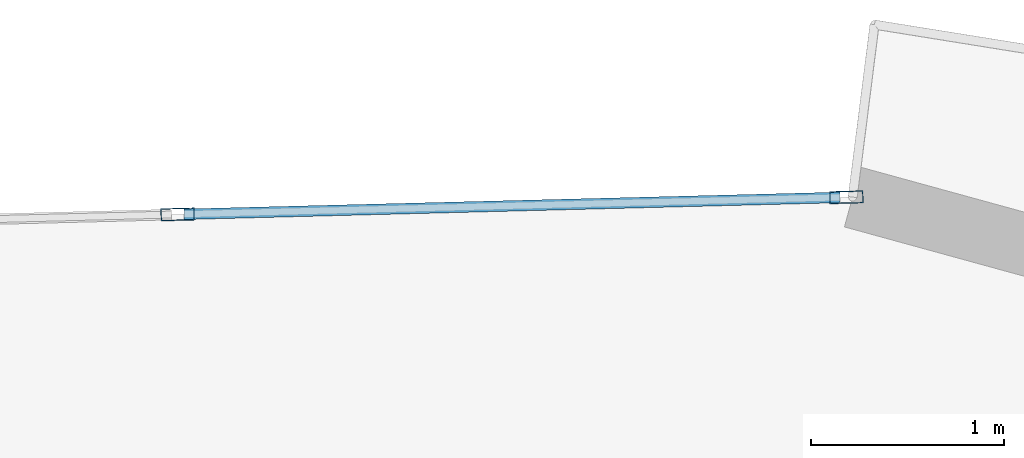
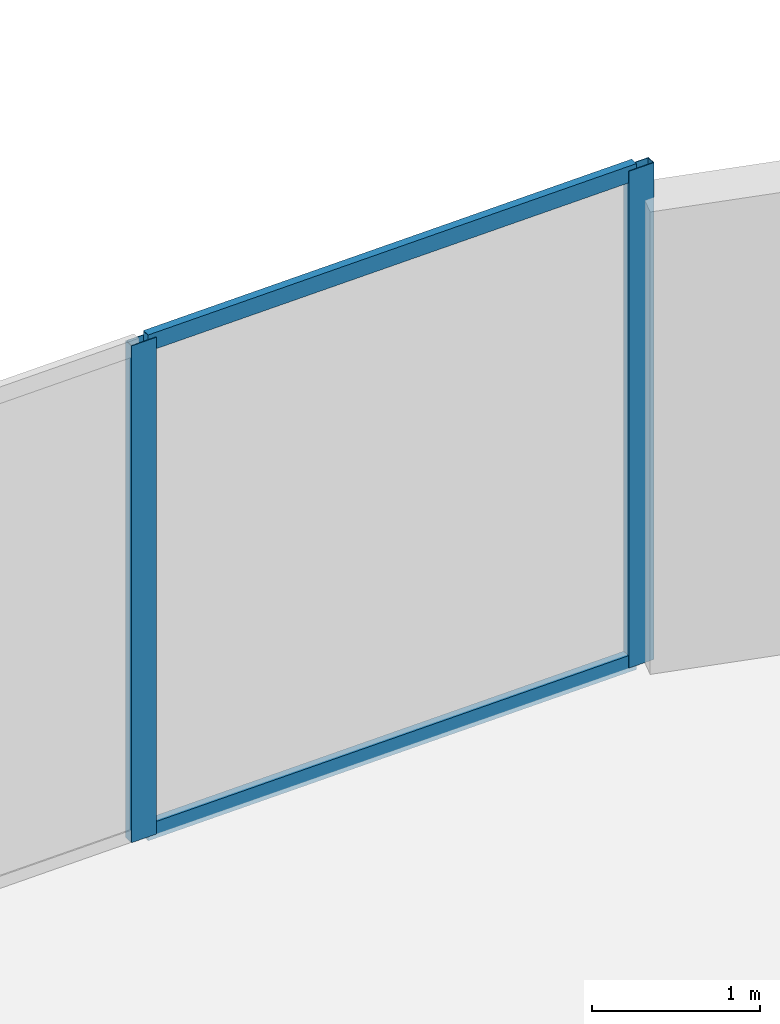
# One storey, part 18 of 25: 4 members, 1 element without a shape of its own.
"""IFC4 building model written with IfcOpenShell, lengths in metres."""

from ifc_helpers import new_model, si_unit, direction, frame, origin, origin_2d, place, context, subcontext, project, spatial, hollow_rectangle, extrude, source, transform, mapped, material, layer, layer_set, material_profile, profile_set, type_object, element, aggregate, save


model = new_model("IFC4")

# Units and contexts
model_context = context("Model", 3, precision=1e-05, world=origin(), true_north=direction((0.0, 1.0)))
body_context = subcontext(model_context, "Body", "Model", "MODEL_VIEW")
ifc_project = project(units=[si_unit("LENGTHUNIT", "METRE"), si_unit("AREAUNIT", "SQUARE_METRE"), si_unit("VOLUMEUNIT", "CUBIC_METRE"), si_unit("PLANEANGLEUNIT", "RADIAN"), si_unit("MASSUNIT", "GRAM", prefix="KILO")], contexts=[model_context])

# Site, building, storey
site_placement = place(None, origin())
site = spatial("IfcSite", under=ifc_project, at=site_placement, CompositionType="ELEMENT")
building_placement = place(site_placement, origin())
building = spatial("IfcBuilding", under=site, at=building_placement, Name="Solvirekh Grand Hotel", CompositionType="ELEMENT")
storey_placement = place(building_placement, frame((0.0, 0.0, 127.800048828125)))
storey = spatial("IfcBuildingStorey", under=building, at=storey_placement, Name="L32", CompositionType="ELEMENT", Elevation=127.800048828125)

# Curtain wall, members
ifc_material = material(Name="Anodized Bronze Aluminium 6063-T6", Category="aluminium")
ifc_layer = layer(ifc_material, 0.175048828125)
ifc_layer_set = layer_set([ifc_layer], Name="Anodized Bronze Aluminium 6063-T6")
curtain_wall_type = type_object("IfcCurtainWallType", Name="CW_Sys3_MidZoneFlushBronzeCW", PredefinedType="NOTDEFINED", material=ifc_layer_set)
curtain_wall_placement = place(storey_placement, origin())
curtain_wall = element("IfcCurtainWall", 1, at=curtain_wall_placement, inside=storey, type_object=curtain_wall_type, Name="L32 unitised bronze-glass curtain wall CW-L32-C08", PredefinedType="NOTDEFINED")
ifc_material_profile_1 = material_profile(ifc_material, hollow_rectangle(XDim=0.06494140625, YDim=0.175048828125, WallThickness=0.0048828125, at=origin_2d()), Name="ALU RHS 175X65X5")
ifc_profile_set_1 = profile_set([ifc_material_profile_1], Name="Anodized Bronze Aluminium 6063-T6")
member_type_1 = type_object("IfcMemberType", Name="CWMullion_Sys3", PredefinedType="MULLION", material=ifc_profile_set_1)
shared_shape_1 = source(origin(), body_context, "Body", "SweptSolid", [
    extrude(hollow_rectangle(XDim=0.06494140625, YDim=0.175048828125, WallThickness=0.0048828125, at=origin_2d()), origin(), (0.0, 0.0, 1.0), 3.599853515625),
])
member_1_placement = place(storey_placement, frame((-2.177490234375, 21.692138671875, 0.0), z_axis=(0.0, 0.0, 1.0), x_axis=(0.025610603562, -0.999671994699, 0.0)))
member_1 = element("IfcMember", 2, at=member_1_placement, type_object=member_type_1, Name="U03 mullion 1", PredefinedType="MULLION", context=body_context, shape_type="MappedRepresentation", body=[
    mapped(shared_shape_1, transform((0.0, 0.0, 0.0), x_axis=(1.0, 0.0, 0.0), y_axis=(0.0, 1.0, 0.0), z_axis=(0.0, 0.0, 1.0), scale=1.0)),
])
member_2_placement = place(storey_placement, frame((-5.638427734375, 21.603515625, 0.0), z_axis=(0.0, 0.0, 1.0), x_axis=(0.025610603562, -0.999671994699, 0.0)))
member_2 = element("IfcMember", 3, at=member_2_placement, type_object=member_type_1, Name="U03 mullion 2", PredefinedType="MULLION", context=body_context, shape_type="MappedRepresentation", body=[
    mapped(shared_shape_1, transform((0.0, 0.0, 0.0), x_axis=(1.0, 0.0, 0.0), y_axis=(0.0, 1.0, 0.0), z_axis=(0.0, 0.0, 1.0), scale=1.0)),
])
ifc_material_profile_2 = material_profile(ifc_material, hollow_rectangle(XDim=0.054931640625, YDim=0.1201171875, WallThickness=0.00390625, at=origin_2d()), Name="ALU RHS 120X55X4")
ifc_profile_set_2 = profile_set([ifc_material_profile_2], Name="Anodized Bronze Aluminium 6063-T6")
member_type_2 = type_object("IfcMemberType", Name="CWTransom_Sys3", PredefinedType="USERDEFINED", material=ifc_profile_set_2)
shared_shape_2 = source(origin(), body_context, "Body", "SweptSolid", [
    extrude(hollow_rectangle(XDim=0.054931640625, YDim=0.1201171875, WallThickness=0.00390625, at=origin_2d()), origin(), (0.0, 0.0, 1.0), 3.397216796875),
])
member_3_placement = place(storey_placement, frame((-2.2099609375, 21.69140625, 0.02734375), z_axis=(-0.999670816778, -0.025656540733, 0.0), x_axis=(0.025656540733, -0.999670816778, 0.0)))
member_3 = element("IfcMember", 4, at=member_3_placement, type_object=member_type_2, Name="U03 transom 1.1", ObjectType="TRANSOM", PredefinedType="USERDEFINED", context=body_context, shape_type="MappedRepresentation", body=[
    mapped(shared_shape_2, transform((0.0, 0.0, 0.0), x_axis=(1.0, 0.0, 0.0), y_axis=(0.0, 1.0, 0.0), z_axis=(0.0, 0.0, 1.0), scale=1.0)),
])
member_4_placement = place(storey_placement, frame((-2.2099609375, 21.69140625, 3.572509765625), z_axis=(-0.999670816778, -0.025656540733, 0.0), x_axis=(0.025656540733, -0.999670816778, 0.0)))
member_4 = element("IfcMember", 5, at=member_4_placement, type_object=member_type_2, Name="U03 transom 1.2", ObjectType="TRANSOM", PredefinedType="USERDEFINED", context=body_context, shape_type="MappedRepresentation", body=[
    mapped(shared_shape_2, transform((0.0, 0.0, 0.0), x_axis=(1.0, 0.0, 0.0), y_axis=(0.0, 1.0, 0.0), z_axis=(0.0, 0.0, 1.0), scale=1.0)),
])
aggregate(curtain_wall, [member_1, member_2, member_3, member_4])

save(model, "model.ifc")
